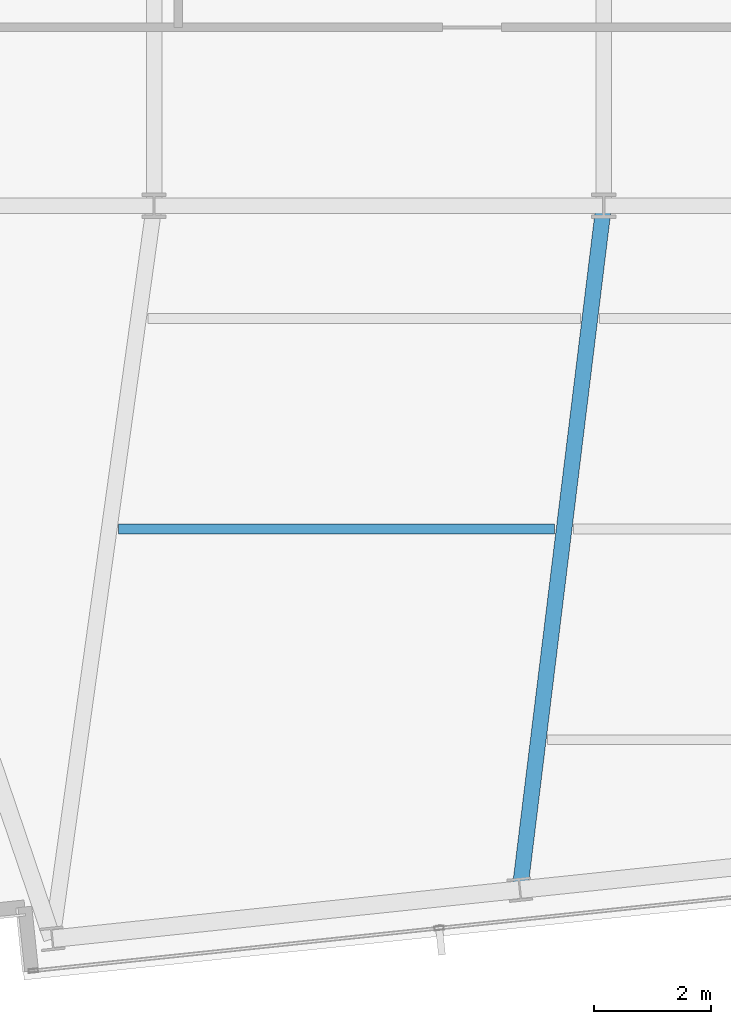
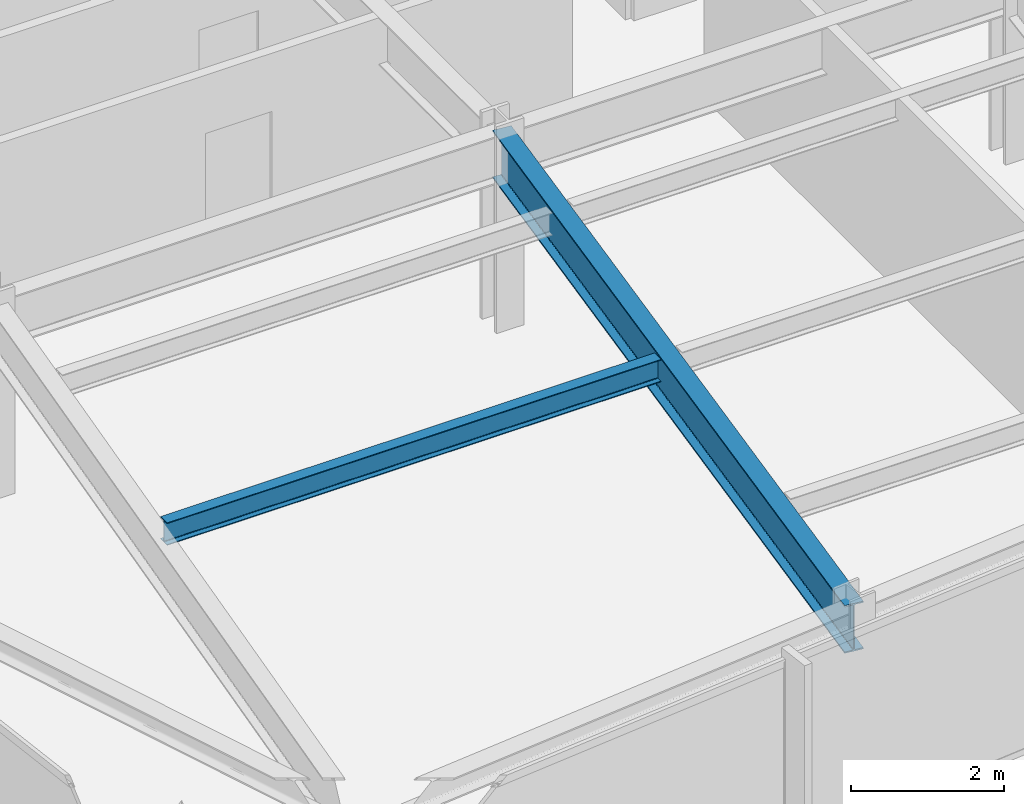
# One storey, part 4 of 32: 2 beams.
"""IFC4 building model written with IfcOpenShell, lengths in metres."""

from ifc_helpers import new_model, si_unit, direction, frame, origin, origin_2d, place, context, subcontext, project, spatial, i_section, extrude, material, material_profile, profile_set, type_object, element, save


model = new_model("IFC4")

# Units and contexts
model_context = context("Model", 3, precision=1e-05, world=origin(), true_north=direction((0.0, 1.0)))
body_context = subcontext(model_context, "Body", "Model", "MODEL_VIEW")
ifc_project = project(units=[si_unit("LENGTHUNIT", "METRE"), si_unit("AREAUNIT", "SQUARE_METRE"), si_unit("VOLUMEUNIT", "CUBIC_METRE"), si_unit("PLANEANGLEUNIT", "RADIAN"), si_unit("MASSUNIT", "GRAM", prefix="KILO")], contexts=[model_context])

# Site, building, storey
site_placement = place(None, origin())
site = spatial("IfcSite", under=ifc_project, at=site_placement, CompositionType="ELEMENT")
building_placement = place(site_placement, origin())
building = spatial("IfcBuilding", under=site, at=building_placement, Name="Yelkora Congress Tower", CompositionType="ELEMENT")
storey_placement = place(building_placement, frame((0.0, 0.0, 207.800048828125)))
storey = spatial("IfcBuildingStorey", under=building, at=storey_placement, Name="L57", CompositionType="ELEMENT", Elevation=207.800048828125)

# Beams
ifc_material = material(Name="Steel S355J2", Category="steel")
ifc_material_profile_1 = material_profile(ifc_material, i_section(OverallWidth=0.26708984375, OverallDepth=0.761962890625, WebThickness=0.014404296875, FlangeThickness=0.021484375, FilletRadius=0.01708984375, at=origin_2d()), Name="IPE 750x173")
ifc_profile_set_1 = profile_set([ifc_material_profile_1], Name="Steel S355J2")
beam_type_1 = type_object("IfcBeamType", Name="BM-GIRD-IPE750", PredefinedType="BEAM", material=ifc_profile_set_1)
beam_1_placement = place(storey_placement, frame((29.288330078125, 13.518310546875, 2.698974609375), z_axis=(0.121644630436, 0.992573717104, 0.0), x_axis=(-0.992573717104, 0.121644630436, 0.0)))
element("IfcBeam", 1, at=beam_1_placement, inside=storey, type_object=beam_type_1, Name="L57 Primary Frame Girder S02", PredefinedType="BEAM", context=body_context, shape_type="SweptSolid", body=[
    extrude(i_section(OverallWidth=0.26708984375, OverallDepth=0.761962890625, WebThickness=0.014404296875, FlangeThickness=0.021484375, FilletRadius=0.01708984375, at=origin_2d()), origin(), (0.0, 0.0, 1.0), 11.76904296875),
])
ifc_material_profile_2 = material_profile(ifc_material, i_section(OverallWidth=0.169921875, OverallDepth=0.360107421875, WebThickness=0.008056640625, FlangeThickness=0.0126953125, FilletRadius=0.01806640625, at=origin_2d()), Name="IPE 360")
ifc_profile_set_2 = profile_set([ifc_material_profile_2], Name="Steel S355J2")
beam_type_2 = type_object("IfcBeamType", Name="BM-JOIST-IPE360", PredefinedType="JOIST", material=ifc_profile_set_2)
beam_2_placement = place(storey_placement, frame((22.432373046875, 19.678466796875, 2.89990234375), z_axis=(1.0, 0.0, 0.0), x_axis=(0.0, 1.0, 0.0)))
element("IfcBeam", 2, at=beam_2_placement, inside=storey, type_object=beam_type_2, Name="L57 Composite Floor Joist 3", PredefinedType="JOIST", context=body_context, shape_type="SweptSolid", body=[
    extrude(i_section(OverallWidth=0.169921875, OverallDepth=0.360107421875, WebThickness=0.008056640625, FlangeThickness=0.0126953125, FilletRadius=0.01806640625, at=origin_2d()), origin(), (0.0, 0.0, 1.0), 7.450927734375),
])

save(model, "model.ifc")
